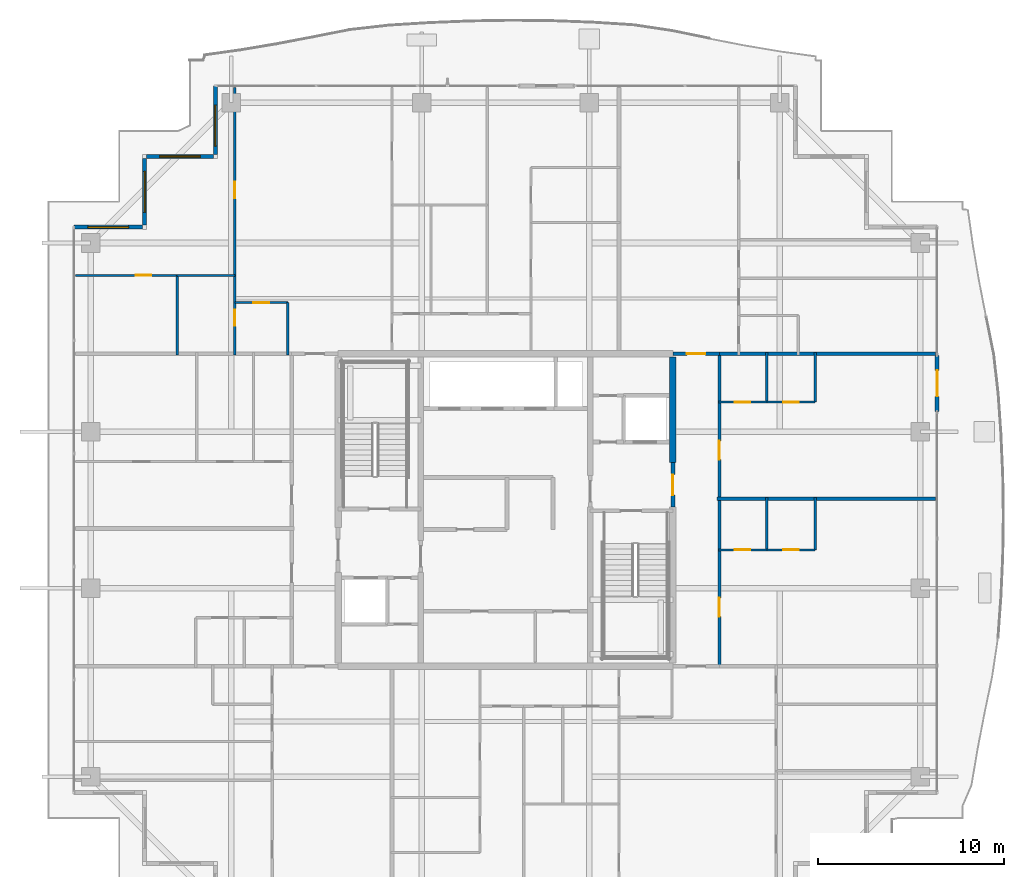
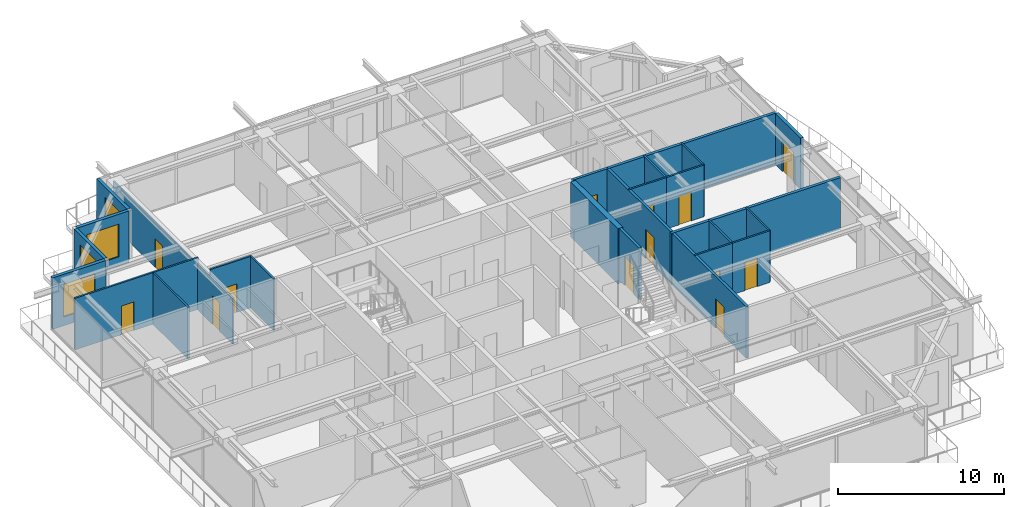
# One storey, part 31 of 40: 26 walls, 13 doors, 4 windows, 17 openings.
"""IFC4 building model written with IfcOpenShell, lengths in metres."""

from ifc_helpers import new_model, si_unit, direction, frame, frame_2d, origin, place, context, subcontext, project, spatial, rectangle, extrude, source, transform, mapped, material, layer, layer_set, type_object, element, fill, save


model = new_model("IFC4")

# Units and contexts
model_context = context("Model", 3, precision=1e-05, world=origin(), true_north=direction((0.0, 1.0)))
body_context = subcontext(model_context, "Body", "Model", "MODEL_VIEW")
ifc_project = project(units=[si_unit("LENGTHUNIT", "METRE"), si_unit("AREAUNIT", "SQUARE_METRE"), si_unit("VOLUMEUNIT", "CUBIC_METRE"), si_unit("PLANEANGLEUNIT", "RADIAN"), si_unit("MASSUNIT", "GRAM", prefix="KILO")], contexts=[model_context])

# Site, building, storey
site_placement = place(None, origin())
site = spatial("IfcSite", under=ifc_project, at=site_placement, CompositionType="ELEMENT")
building_placement = place(site_placement, origin())
building = spatial("IfcBuilding", under=site, at=building_placement, Name="Serunith Strait Residences", CompositionType="ELEMENT")
storey_placement = place(building_placement, frame((0.0, 0.0, 313.699951171875)))
storey = spatial("IfcBuildingStorey", under=building, at=storey_placement, Name="L78", CompositionType="ELEMENT", Elevation=313.699951171875)

# Wall, opening, door
ifc_material_1 = material(Name="Pale-Champagne Aluminium Insulated Panel", Category="aluminium")
ifc_layer_1 = layer(ifc_material_1, 0.219970703125, Name="Pale-Champagne Aluminium Insulated Panel")
ifc_layer_set_1 = layer_set([ifc_layer_1], Name="Pale-Champagne Aluminium Insulated Panel")
wall_type_1 = type_object("IfcWallType", Name="EW-ALUM-220", PredefinedType="ELEMENTEDWALL", material=ifc_layer_set_1)
wall_1_placement = place(storey_placement, frame((55.60009765625, 30.5, 0.0), z_axis=(0.0, 0.0, 1.0), x_axis=(0.0, 1.0, 0.0)))
wall_1 = element("IfcWall", 1, at=wall_1_placement, inside=storey, type_object=wall_type_1, Name="L78 E Facade Pier Wall", PredefinedType="ELEMENTEDWALL", context=body_context, shape_type="SweptSolid", body=[
    extrude(rectangle(XDim=3.0, YDim=0.219970703125, at=frame_2d((1.5, 0.0))), origin(), (0.0, 0.0, 1.0), 3.775146484375),
])
opening_1_placement = place(wall_1_placement, frame((0.800048828125, 0.0, 0.0)))
opening_1 = element("IfcOpeningElement", 2, at=opening_1_placement, cuts=wall_1, Name="Opening ED-04", PredefinedType="OPENING", context=body_context, shape_type="SweptSolid", body=[
    extrude(rectangle(XDim=1.39990234375, YDim=2.25, at=frame_2d((0.699951171875, 1.125))), frame((0.0, 0.1201171875, 0.0), z_axis=(0.0, -1.0, 0.0), x_axis=(1.0, 0.0, 0.0)), (0.0, 0.0, 1.0), 0.239990234375),
])
ifc_material_2 = material(Name="Thermally-Broken Aluminium Sliding Balcony Door", Category="aluminium")
door_type_1 = type_object("IfcDoorType", Name="ED-BALC-1400", OperationType="NOTDEFINED", PredefinedType="DOOR", material=ifc_material_2)
shared_shape_1 = source(origin(), body_context, "Body", "SweptSolid", [
    extrude(rectangle(XDim=1.39990234375, YDim=2.25, at=frame_2d((0.699951171875, 1.125))), frame((0.0, 0.02490234375, 0.0), z_axis=(0.0, -1.0, 0.0), x_axis=(1.0, 0.0, 0.0)), (0.0, 0.0, 1.0), 0.050048828125),
])
door_1_placement = place(opening_1_placement, origin())
door_1 = element("IfcDoor", 3, at=door_1_placement, inside=storey, type_object=door_type_1, Name="L78 E Vertical-Forest Balcony Door", OperationType="SLIDING_TO_LEFT", OverallHeight=2.25, OverallWidth=1.39990234375, PredefinedType="DOOR", context=body_context, shape_type="MappedRepresentation", body=[
    mapped(shared_shape_1, transform((0.0, 0.0, 0.0), scale=1.0)),
])
fill(opening_1, door_1)

# Wall, opening, window
wall_2_placement = place(storey_placement, frame((16.800048828125, 48.0, 0.0), z_axis=(0.0, 0.0, 1.0), x_axis=(0.0, -1.0, 0.0)))
wall_2 = element("IfcWall", 4, at=wall_2_placement, inside=storey, type_object=wall_type_1, Name="L78 Girih Serrated Corner Wall 12", PredefinedType="ELEMENTEDWALL", context=body_context, shape_type="SweptSolid", body=[
    extrude(rectangle(XDim=3.68994140625, YDim=0.219970703125, at=frame_2d((1.844970703125, 0.0))), origin(), (0.0, 0.0, 1.0), 3.775146484375),
])
opening_2_placement = place(wall_2_placement, frame((1.04296875, 0.0, 0.64990234375)))
opening_2 = element("IfcOpeningElement", 5, at=opening_2_placement, cuts=wall_2, Name="Opening W-06", PredefinedType="OPENING", context=body_context, shape_type="SweptSolid", body=[
    extrude(rectangle(XDim=2.199951171875, YDim=2.39990234375, at=frame_2d((1.10009765625, 1.199951171875))), frame((0.0, 0.1201171875, 0.0), z_axis=(0.0, -1.0, 0.0), x_axis=(1.0, 0.0, 0.0)), (0.0, 0.0, 1.0), 0.239990234375),
])
ifc_material_3 = material(Name="Crown Penthouse Low-E Operable Window Glass", Category="glass")
window_type = type_object("IfcWindowType", Name="WIN-C6", PartitioningType="TRIPLE_PANEL_VERTICAL", PredefinedType="WINDOW", material=ifc_material_3)
shared_shape_2 = source(origin(), body_context, "Body", "SweptSolid", [
    extrude(rectangle(XDim=2.199951171875, YDim=2.39990234375, at=frame_2d((1.10009765625, 1.199951171875))), frame((0.0, 0.030029296875, 0.0), z_axis=(0.0, -1.0, 0.0), x_axis=(1.0, 0.0, 0.0)), (0.0, 0.0, 1.0), 0.06005859375),
])
window_1_placement = place(opening_2_placement, origin())
window_1 = element("IfcWindow", 6, at=window_1_placement, inside=storey, type_object=window_type, Name="L78 Corner Operable Fritted Window 12", OverallHeight=2.39990234375, OverallWidth=2.199951171875, PartitioningType="SINGLE_PANEL", PredefinedType="WINDOW", context=body_context, shape_type="MappedRepresentation", body=[
    mapped(shared_shape_2, transform((0.0, 0.0, 0.0), scale=1.0)),
])
fill(opening_2, window_1)

wall_3_placement = place(storey_placement, frame((16.68994140625, 44.199951171875, 0.0), z_axis=(0.0, 0.0, 1.0), x_axis=(-1.0, 0.0, 0.0)))
wall_3 = element("IfcWall", 7, at=wall_3_placement, inside=storey, type_object=wall_type_1, Name="L78 Girih Serrated Corner Wall 13", PredefinedType="ELEMENTEDWALL", context=body_context, shape_type="SweptSolid", body=[
    extrude(rectangle(XDim=3.579833984375, YDim=0.219970703125, at=frame_2d((1.7900390625, 0.0))), origin(), (0.0, 0.0, 1.0), 3.775146484375),
])
opening_3_placement = place(wall_3_placement, frame((0.68994140625, 0.0, 0.64990234375)))
opening_3 = element("IfcOpeningElement", 8, at=opening_3_placement, cuts=wall_3, Name="Opening W-06", PredefinedType="OPENING", context=body_context, shape_type="SweptSolid", body=[
    extrude(rectangle(XDim=2.199951171875, YDim=2.39990234375, at=frame_2d((1.10009765625, 1.199951171875))), frame((0.0, 0.1201171875, 0.0), z_axis=(0.0, -1.0, 0.0), x_axis=(1.0, 0.0, 0.0)), (0.0, 0.0, 1.0), 0.239990234375),
])
window_2_placement = place(opening_3_placement, origin())
window_2 = element("IfcWindow", 9, at=window_2_placement, inside=storey, type_object=window_type, Name="L78 Corner Operable Fritted Window 13", OverallHeight=2.39990234375, OverallWidth=2.199951171875, PartitioningType="SINGLE_PANEL", PredefinedType="WINDOW", context=body_context, shape_type="MappedRepresentation", body=[
    mapped(shared_shape_2, transform((0.0, 0.0, 0.0), scale=1.0)),
])
fill(opening_3, window_2)

wall_4_placement = place(storey_placement, frame((13.0, 44.090087890625, 0.0), z_axis=(0.0, 0.0, 1.0), x_axis=(0.0, -1.0, 0.0)))
wall_4 = element("IfcWall", 10, at=wall_4_placement, inside=storey, type_object=wall_type_1, Name="L78 Girih Serrated Corner Wall 14", PredefinedType="ELEMENTEDWALL", context=body_context, shape_type="SweptSolid", body=[
    extrude(rectangle(XDim=3.580078125, YDim=0.219970703125, at=frame_2d((1.7900390625, 0.0))), origin(), (0.0, 0.0, 1.0), 3.775146484375),
])
opening_4_placement = place(wall_4_placement, frame((0.68994140625, 0.0, 0.64990234375)))
opening_4 = element("IfcOpeningElement", 11, at=opening_4_placement, cuts=wall_4, Name="Opening W-06", PredefinedType="OPENING", context=body_context, shape_type="SweptSolid", body=[
    extrude(rectangle(XDim=2.199951171875, YDim=2.39990234375, at=frame_2d((1.10009765625, 1.199951171875))), frame((0.0, 0.1201171875, 0.0), z_axis=(0.0, -1.0, 0.0), x_axis=(1.0, 0.0, 0.0)), (0.0, 0.0, 1.0), 0.239990234375),
])
window_3_placement = place(opening_4_placement, origin())
window_3 = element("IfcWindow", 12, at=window_3_placement, inside=storey, type_object=window_type, Name="L78 Corner Operable Fritted Window 14", OverallHeight=2.39990234375, OverallWidth=2.199951171875, PartitioningType="SINGLE_PANEL", PredefinedType="WINDOW", context=body_context, shape_type="MappedRepresentation", body=[
    mapped(shared_shape_2, transform((0.0, 0.0, 0.0), scale=1.0)),
])
fill(opening_4, window_3)

wall_5_placement = place(storey_placement, frame((12.889892578125, 40.39990234375, 0.0), z_axis=(0.0, 0.0, 1.0), x_axis=(-1.0, 0.0, 0.0)))
wall_5 = element("IfcWall", 13, at=wall_5_placement, inside=storey, type_object=wall_type_1, Name="L78 Girih Serrated Corner Wall 15", PredefinedType="ELEMENTEDWALL", context=body_context, shape_type="SweptSolid", body=[
    extrude(rectangle(XDim=3.68994140625, YDim=0.219970703125, at=frame_2d((1.844970703125, 0.0))), origin(), (0.0, 0.0, 1.0), 3.775146484375),
])
opening_5_placement = place(wall_5_placement, frame((0.7451171875, 0.0, 0.64990234375)))
opening_5 = element("IfcOpeningElement", 14, at=opening_5_placement, cuts=wall_5, Name="Opening W-06", PredefinedType="OPENING", context=body_context, shape_type="SweptSolid", body=[
    extrude(rectangle(XDim=2.199951171875, YDim=2.39990234375, at=frame_2d((1.10009765625, 1.199951171875))), frame((0.0, 0.1201171875, 0.0), z_axis=(0.0, -1.0, 0.0), x_axis=(1.0, 0.0, 0.0)), (0.0, 0.0, 1.0), 0.239990234375),
])
window_4_placement = place(opening_5_placement, origin())
window_4 = element("IfcWindow", 15, at=window_4_placement, inside=storey, type_object=window_type, Name="L78 Corner Operable Fritted Window 15", OverallHeight=2.39990234375, OverallWidth=2.199951171875, PartitioningType="SINGLE_PANEL", PredefinedType="WINDOW", context=body_context, shape_type="MappedRepresentation", body=[
    mapped(shared_shape_2, transform((0.0, 0.0, 0.0), scale=1.0)),
])
fill(opening_5, window_4)

# Wall, opening, door
ifc_material_4 = material(Name="Fire-rated acoustic gypsum partition")
ifc_layer_2 = layer(ifc_material_4, 0.179931640625, Name="Fire-rated acoustic gypsum partition")
ifc_layer_set_2 = layer_set([ifc_layer_2], Name="Fire-rated acoustic gypsum partition")
wall_type_2 = type_object("IfcWallType", Name="IW-CORR-180", PredefinedType="PARTITIONING", material=ifc_layer_set_2)
wall_6_placement = place(storey_placement, frame((41.402099609375, 33.60009765625, 0.0), z_axis=(0.0, 0.0, 1.0), x_axis=(1.0, 0.0, 0.0)))
wall_6 = element("IfcWall", 16, at=wall_6_placement, inside=storey, type_object=wall_type_2, Name="L78 Partition Wall 032", PredefinedType="PARTITIONING", context=body_context, shape_type="SweptSolid", body=[
    extrude(rectangle(XDim=2.495849609375, YDim=0.179931640625, at=frame_2d((1.248046875, 0.0))), origin(), (0.0, 0.0, 1.0), 3.7900390625),
])
opening_6_placement = place(wall_6_placement, frame((0.748046875, 0.0, 0.0)))
opening_6 = element("IfcOpeningElement", 17, at=opening_6_placement, cuts=wall_6, Name="Opening D-APT1000", PredefinedType="OPENING", context=body_context, shape_type="SweptSolid", body=[
    extrude(rectangle(XDim=1.0, YDim=2.14990234375, at=frame_2d((0.5, 1.074951171875))), frame((0.0, 0.10009765625, 0.0), z_axis=(0.0, -1.0, 0.0), x_axis=(1.0, 0.0, 0.0)), (0.0, 0.0, 1.0), 0.199951171875),
])
ifc_material_5 = material(Name="Solid timber engineered fire door", Category="wood")
door_type_2 = type_object("IfcDoorType", Name="ID-APT-1000", OperationType="NOTDEFINED", PredefinedType="DOOR", material=ifc_material_5)
shared_shape_3 = source(origin(), body_context, "Body", "SweptSolid", [
    extrude(rectangle(XDim=1.0, YDim=2.14990234375, at=frame_2d((0.5, 1.074951171875))), frame((0.0, 0.02490234375, 0.0), z_axis=(0.0, -1.0, 0.0), x_axis=(1.0, 0.0, 0.0)), (0.0, 0.0, 1.0), 0.050048828125),
])
door_2_placement = place(opening_6_placement, origin())
door_2 = element("IfcDoor", 18, at=door_2_placement, inside=storey, type_object=door_type_2, Name="L78 Unit 04 Entrance Door", OperationType="SINGLE_SWING_RIGHT", OverallHeight=2.14990234375, OverallWidth=1.0, PredefinedType="DOOR", context=body_context, shape_type="MappedRepresentation", body=[
    mapped(shared_shape_3, transform((0.0, 0.0, 0.0), scale=1.0)),
])
fill(opening_6, door_2)

# Wall, openings, doors
wall_7_placement = place(storey_placement, frame((43.89990234375, 16.800048828125, 0.0), z_axis=(0.0, 0.0, 1.0), x_axis=(0.0, 1.0, 0.0)))
wall_7 = element("IfcWall", 19, at=wall_7_placement, inside=storey, type_object=wall_type_2, Name="L78 Partition Wall 033", PredefinedType="PARTITIONING", context=body_context, shape_type="SweptSolid", body=[
    extrude(rectangle(XDim=16.800048828125, YDim=0.179931640625, at=frame_2d((8.39990234375, 0.0))), origin(), (0.0, 0.0, 1.0), 3.7900390625),
])
opening_7_placement = place(wall_7_placement, frame((2.669921875, 0.0, 0.0)))
opening_7 = element("IfcOpeningElement", 20, at=opening_7_placement, cuts=wall_7, Name="Opening D-APT1000", PredefinedType="OPENING", context=body_context, shape_type="SweptSolid", body=[
    extrude(rectangle(XDim=1.0, YDim=2.14990234375, at=frame_2d((0.5, 1.074951171875))), frame((0.0, 0.10009765625, 0.0), z_axis=(0.0, -1.0, 0.0), x_axis=(1.0, 0.0, 0.0)), (0.0, 0.0, 1.0), 0.199951171875),
])
opening_8_placement = place(wall_7_placement, frame((11.10693359375, 0.0, 0.0)))
opening_8 = element("IfcOpeningElement", 21, at=opening_8_placement, cuts=wall_7, Name="Opening D-APT1000", PredefinedType="OPENING", context=body_context, shape_type="SweptSolid", body=[
    extrude(rectangle(XDim=1.0, YDim=2.14990234375, at=frame_2d((0.5, 1.074951171875))), frame((0.0, 0.10009765625, 0.0), z_axis=(0.0, -1.0, 0.0), x_axis=(1.0, 0.0, 0.0)), (0.0, 0.0, 1.0), 0.199951171875),
])
door_3_placement = place(opening_7_placement, origin())
door_3 = element("IfcDoor", 22, at=door_3_placement, inside=storey, type_object=door_type_2, Name="L78 Unit 07 Entrance Door", OperationType="SINGLE_SWING_LEFT", OverallHeight=2.14990234375, OverallWidth=1.0, PredefinedType="DOOR", context=body_context, shape_type="MappedRepresentation", body=[
    mapped(shared_shape_3, transform((0.0, 0.0, 0.0), scale=1.0)),
])
fill(opening_7, door_3)
door_4_placement = place(opening_8_placement, origin())
door_4 = element("IfcDoor", 23, at=door_4_placement, inside=storey, type_object=door_type_2, Name="L78 Unit 08 Entrance Door", OperationType="SINGLE_SWING_RIGHT", OverallHeight=2.14990234375, OverallWidth=1.0, PredefinedType="DOOR", context=body_context, shape_type="MappedRepresentation", body=[
    mapped(shared_shape_3, transform((0.0, 0.0, 0.0), scale=1.0)),
])
fill(opening_8, door_4)

# Wall, opening, door
ifc_material_6 = material(Name="Lightweight steel-stud gypsum partition", Category="steel")
ifc_layer_3 = layer(ifc_material_6, 0.1201171875, Name="Lightweight steel-stud gypsum partition")
ifc_layer_set_3 = layer_set([ifc_layer_3], Name="Lightweight steel-stud gypsum partition")
wall_type_3 = type_object("IfcWallType", Name="IW-PART-120", PredefinedType="PARTITIONING", material=ifc_layer_set_3)
wall_8_placement = place(storey_placement, frame((17.85009765625, 36.35009765625, 0.0), z_axis=(0.0, 0.0, 1.0), x_axis=(1.0, 0.0, 0.0)))
wall_8 = element("IfcWall", 24, at=wall_8_placement, inside=storey, type_object=wall_type_3, Name="L78 Partition Wall 063", PredefinedType="PARTITIONING", context=body_context, shape_type="SweptSolid", body=[
    extrude(rectangle(XDim=2.849853515625, YDim=0.1201171875, at=frame_2d((1.4248046875, 0.0))), origin(), (0.0, 0.0, 1.0), 3.7900390625),
])
opening_9_placement = place(wall_8_placement, frame((1.0, 0.0, 0.0)))
opening_9 = element("IfcOpeningElement", 25, at=opening_9_placement, cuts=wall_8, Name="Opening D-RM850", PredefinedType="OPENING", context=body_context, shape_type="SweptSolid", body=[
    extrude(rectangle(XDim=0.85009765625, YDim=2.10009765625, at=frame_2d((0.425048828125, 1.050048828125))), frame((0.0, 0.070068359375, 0.0), z_axis=(0.0, -1.0, 0.0), x_axis=(1.0, 0.0, 0.0)), (0.0, 0.0, 1.0), 0.14013671875),
])
ifc_material_7 = material(Name="Engineered timber flush study and kitchen door", Category="wood")
door_type_3 = type_object("IfcDoorType", Name="ID-ROOM-850", OperationType="NOTDEFINED", PredefinedType="DOOR", material=ifc_material_7)
shared_shape_4 = source(origin(), body_context, "Body", "SweptSolid", [
    extrude(rectangle(XDim=0.85009765625, YDim=2.10009765625, at=frame_2d((0.425048828125, 1.050048828125))), frame((0.0, 0.02490234375, 0.0), z_axis=(0.0, -1.0, 0.0), x_axis=(1.0, 0.0, 0.0)), (0.0, 0.0, 1.0), 0.050048828125),
])
door_5_placement = place(opening_9_placement, origin())
door_5 = element("IfcDoor", 26, at=door_5_placement, inside=storey, type_object=door_type_3, Name="L78 Kitchen 7803 Door", OperationType="SINGLE_SWING_RIGHT", OverallHeight=2.10009765625, OverallWidth=0.85009765625, PredefinedType="DOOR", context=body_context, shape_type="MappedRepresentation", body=[
    mapped(shared_shape_4, transform((0.0, 0.0, 0.0), scale=1.0)),
])
fill(opening_9, door_5)

# Wall
wall_9_placement = place(storey_placement, frame((20.699951171875, 36.35009765625, 0.0), z_axis=(0.0, 0.0, 1.0), x_axis=(0.0, -1.0, 0.0)))
element("IfcWall", 27, at=wall_9_placement, inside=storey, type_object=wall_type_3, Name="L78 Partition Wall 064", PredefinedType="PARTITIONING", context=body_context, shape_type="SweptSolid", body=[
    extrude(rectangle(XDim=2.81005859375, YDim=0.1201171875, at=frame_2d((1.405029296875, 0.0))), origin(), (0.0, 0.0, 1.0), 3.7900390625),
])

# Wall, opening, door
wall_10_placement = place(storey_placement, frame((17.85009765625, 47.905029296875, 0.0), z_axis=(0.0, 0.0, 1.0), x_axis=(0.0, -1.0, 0.0)))
wall_10 = element("IfcWall", 28, at=wall_10_placement, inside=storey, type_object=wall_type_3, Name="L78 Partition Wall 065", PredefinedType="PARTITIONING", context=body_context, shape_type="SweptSolid", body=[
    extrude(rectangle(XDim=10.09814453125, YDim=0.1201171875, at=frame_2d((5.049072265625, 0.0))), origin(), (0.0, 0.0, 1.0), 3.2919921875),
])
opening_10_placement = place(wall_10_placement, frame((5.05908203125, 0.0, 0.0)))
opening_10 = element("IfcOpeningElement", 29, at=opening_10_placement, cuts=wall_10, Name="Opening D-RM900", PredefinedType="OPENING", context=body_context, shape_type="SweptSolid", body=[
    extrude(rectangle(XDim=0.89990234375, YDim=2.10009765625, at=frame_2d((0.449951171875, 1.050048828125))), frame((0.0, 0.070068359375, 0.0), z_axis=(0.0, -1.0, 0.0), x_axis=(1.0, 0.0, 0.0)), (0.0, 0.0, 1.0), 0.14013671875),
])
ifc_material_8 = material(Name="Engineered timber flush bedroom door", Category="wood")
door_type_4 = type_object("IfcDoorType", Name="ID-ROOM-900", OperationType="NOTDEFINED", PredefinedType="DOOR", material=ifc_material_8)
shared_shape_5 = source(origin(), body_context, "Body", "SweptSolid", [
    extrude(rectangle(XDim=0.89990234375, YDim=2.10009765625, at=frame_2d((0.449951171875, 1.050048828125))), frame((0.0, 0.02490234375, 0.0), z_axis=(0.0, -1.0, 0.0), x_axis=(1.0, 0.0, 0.0)), (0.0, 0.0, 1.0), 0.050048828125),
])
door_6_placement = place(opening_10_placement, origin())
door_6 = element("IfcDoor", 30, at=door_6_placement, inside=storey, type_object=door_type_4, Name="L78 Master Bedroom 1 7803 Door", OperationType="SINGLE_SWING_LEFT", OverallHeight=2.10009765625, OverallWidth=0.89990234375, PredefinedType="DOOR", context=body_context, shape_type="MappedRepresentation", body=[
    mapped(shared_shape_5, transform((0.0, 0.0, 0.0), scale=1.0)),
])
fill(opening_10, door_6)

wall_11_placement = place(storey_placement, frame((9.294921875, 37.806884765625, 0.0), z_axis=(0.0, 0.0, 1.0), x_axis=(1.0, 0.0, 0.0)))
wall_11 = element("IfcWall", 31, at=wall_11_placement, inside=storey, type_object=wall_type_3, Name="L78 Partition Wall 066", PredefinedType="PARTITIONING", context=body_context, shape_type="SweptSolid", body=[
    extrude(rectangle(XDim=5.455078125, YDim=0.1201171875, at=frame_2d((2.7275390625, 0.0))), origin(), (0.0, 0.0, 1.0), 3.7900390625),
])
opening_11_placement = place(wall_11_placement, frame((3.22412109375, 0.0, 0.0)))
opening_11 = element("IfcOpeningElement", 32, at=opening_11_placement, cuts=wall_11, Name="Opening D-RM850", PredefinedType="OPENING", context=body_context, shape_type="SweptSolid", body=[
    extrude(rectangle(XDim=0.85009765625, YDim=2.10009765625, at=frame_2d((0.425048828125, 1.050048828125))), frame((0.0, 0.070068359375, 0.0), z_axis=(0.0, -1.0, 0.0), x_axis=(1.0, 0.0, 0.0)), (0.0, 0.0, 1.0), 0.14013671875),
])
door_7_placement = place(opening_11_placement, origin())
door_7 = element("IfcDoor", 33, at=door_7_placement, inside=storey, type_object=door_type_3, Name="L78 Wardrobe 7803 Door", OperationType="SINGLE_SWING_RIGHT", OverallHeight=2.10009765625, OverallWidth=0.85009765625, PredefinedType="DOOR", context=body_context, shape_type="MappedRepresentation", body=[
    mapped(shared_shape_4, transform((0.0, 0.0, 0.0), scale=1.0)),
])
fill(opening_11, door_7)

# Walls
wall_12_placement = place(storey_placement, frame((14.751953125, 37.806884765625, 0.0), z_axis=(0.0, 0.0, 1.0), x_axis=(1.0, 0.0, 0.0)))
element("IfcWall", 34, at=wall_12_placement, inside=storey, type_object=wall_type_3, Name="L78 Partition Wall 067", PredefinedType="PARTITIONING", context=body_context, shape_type="SweptSolid", body=[
    extrude(rectangle(XDim=3.09814453125, YDim=0.1201171875, at=frame_2d((1.549072265625, 0.0))), origin(), (0.0, 0.0, 1.0), 3.7900390625),
])
wall_13_placement = place(storey_placement, frame((14.75, 37.806884765625, 0.0), z_axis=(0.0, 0.0, 1.0), x_axis=(0.0, -1.0, 0.0)))
element("IfcWall", 35, at=wall_13_placement, inside=storey, type_object=wall_type_3, Name="L78 Partition Wall 068", PredefinedType="PARTITIONING", context=body_context, shape_type="SweptSolid", body=[
    extrude(rectangle(XDim=4.266845703125, YDim=0.1201171875, at=frame_2d((2.13330078125, 0.0))), origin(), (0.0, 0.0, 1.0), 3.7900390625),
])

# Wall, opening, door
wall_14_placement = place(storey_placement, frame((17.85009765625, 37.804931640625, 0.0), z_axis=(0.0, 0.0, 1.0), x_axis=(0.0, -1.0, 0.0)))
wall_14 = element("IfcWall", 36, at=wall_14_placement, inside=storey, type_object=wall_type_3, Name="L78 Partition Wall 069", PredefinedType="PARTITIONING", context=body_context, shape_type="SweptSolid", body=[
    extrude(rectangle(XDim=4.264892578125, YDim=0.1201171875, at=frame_2d((2.13232421875, 0.0))), origin(), (0.0, 0.0, 1.0), 3.3720703125),
])
opening_12_placement = place(wall_14_placement, frame((1.847900390625, 0.0, 0.0)))
opening_12 = element("IfcOpeningElement", 37, at=opening_12_placement, cuts=wall_14, Name="Opening D-BTH850", PredefinedType="OPENING", context=body_context, shape_type="SweptSolid", body=[
    extrude(rectangle(XDim=0.85009765625, YDim=2.10009765625, at=frame_2d((0.425048828125, 1.050048828125))), frame((0.0, 0.070068359375, 0.0), z_axis=(0.0, -1.0, 0.0), x_axis=(1.0, 0.0, 0.0)), (0.0, 0.0, 1.0), 0.14013671875),
])
ifc_material_9 = material(Name="Moisture-resistant timber bathroom door", Category="wood")
door_type_5 = type_object("IfcDoorType", Name="ID-BATH-850", OperationType="NOTDEFINED", PredefinedType="DOOR", material=ifc_material_9)
door_8_placement = place(opening_12_placement, origin())
door_8 = element("IfcDoor", 38, at=door_8_placement, inside=storey, type_object=door_type_5, Name="L78 Bathroom 7803 Door", OperationType="SINGLE_SWING_LEFT", OverallHeight=2.10009765625, OverallWidth=0.85009765625, PredefinedType="DOOR", context=body_context, shape_type="MappedRepresentation", body=[
    mapped(shared_shape_4, transform((0.0, 0.0, 0.0), scale=1.0)),
])
fill(opening_12, door_8)

wall_15_placement = place(storey_placement, frame((49.050048828125, 23.050048828125, 0.0), z_axis=(0.0, 0.0, 1.0), x_axis=(-1.0, 0.0, 0.0)))
wall_15 = element("IfcWall", 39, at=wall_15_placement, inside=storey, type_object=wall_type_3, Name="L78 Partition Wall 101", PredefinedType="PARTITIONING", context=body_context, shape_type="SweptSolid", body=[
    extrude(rectangle(XDim=2.60009765625, YDim=0.1201171875, at=frame_2d((1.300048828125, 0.0))), origin(), (0.0, 0.0, 1.0), 3.7900390625),
])
opening_13_placement = place(wall_15_placement, frame((0.875, 0.0, 0.0)))
opening_13 = element("IfcOpeningElement", 40, at=opening_13_placement, cuts=wall_15, Name="Opening D-RM850", PredefinedType="OPENING", context=body_context, shape_type="SweptSolid", body=[
    extrude(rectangle(XDim=0.85009765625, YDim=2.10009765625, at=frame_2d((0.425048828125, 1.050048828125))), frame((0.0, 0.070068359375, 0.0), z_axis=(0.0, -1.0, 0.0), x_axis=(1.0, 0.0, 0.0)), (0.0, 0.0, 1.0), 0.14013671875),
])
door_9_placement = place(opening_13_placement, origin())
door_9 = element("IfcDoor", 41, at=door_9_placement, inside=storey, type_object=door_type_3, Name="L78 Kitchen 7807 Door", OperationType="SINGLE_SWING_RIGHT", OverallHeight=2.10009765625, OverallWidth=0.85009765625, PredefinedType="DOOR", context=body_context, shape_type="MappedRepresentation", body=[
    mapped(shared_shape_4, transform((0.0, 0.0, 0.0), scale=1.0)),
])
fill(opening_13, door_9)

wall_16_placement = place(storey_placement, frame((46.447998046875, 23.050048828125, 0.0), z_axis=(0.0, 0.0, 1.0), x_axis=(-1.0, 0.0, 0.0)))
wall_16 = element("IfcWall", 42, at=wall_16_placement, inside=storey, type_object=wall_type_3, Name="L78 Partition Wall 102", PredefinedType="PARTITIONING", context=body_context, shape_type="SweptSolid", body=[
    extrude(rectangle(XDim=2.60791015625, YDim=0.1201171875, at=frame_2d((1.303955078125, 0.0))), origin(), (0.0, 0.0, 1.0), 3.7900390625),
])
opening_14_placement = place(wall_16_placement, frame((0.87890625, 0.0, 0.0)))
opening_14 = element("IfcOpeningElement", 43, at=opening_14_placement, cuts=wall_16, Name="Opening D-BTH850", PredefinedType="OPENING", context=body_context, shape_type="SweptSolid", body=[
    extrude(rectangle(XDim=0.85009765625, YDim=2.10009765625, at=frame_2d((0.425048828125, 1.050048828125))), frame((0.0, 0.070068359375, 0.0), z_axis=(0.0, -1.0, 0.0), x_axis=(1.0, 0.0, 0.0)), (0.0, 0.0, 1.0), 0.14013671875),
])
door_10_placement = place(opening_14_placement, origin())
door_10 = element("IfcDoor", 44, at=door_10_placement, inside=storey, type_object=door_type_5, Name="L78 Bathroom 7807 Door", OperationType="SINGLE_SWING_LEFT", OverallHeight=2.10009765625, OverallWidth=0.85009765625, PredefinedType="DOOR", context=body_context, shape_type="MappedRepresentation", body=[
    mapped(shared_shape_4, transform((0.0, 0.0, 0.0), scale=1.0)),
])
fill(opening_14, door_10)

# Walls
for number, where, z_axis, x_axis, name in (
    (45, (46.449951171875, 23.050048828125, 0.0), (0.0, 0.0, 1.0), (0.0, 1.0, 0.0), "L78 Partition Wall 103"),
    (46, (49.050048828125, 23.050048828125, 0.0), (0.0, 0.0, 1.0), (0.0, 1.0, 0.0), "L78 Partition Wall 104"),
):
    element("IfcWall", number, at=place(storey_placement, frame(where, z_axis=z_axis, x_axis=x_axis)), inside=storey, type_object=wall_type_3, Name=name, PredefinedType="PARTITIONING", context=body_context, shape_type="SweptSolid", body=[
        extrude(rectangle(XDim=2.81005859375, YDim=0.1201171875, at=frame_2d((1.405029296875, 0.0))), origin(), (0.0, 0.0, 1.0), 3.7900390625),
    ])

# Wall, opening, door
wall_17_placement = place(storey_placement, frame((49.050048828125, 31.0, 0.0), z_axis=(0.0, 0.0, 1.0), x_axis=(-1.0, 0.0, 0.0)))
wall_17 = element("IfcWall", 47, at=wall_17_placement, inside=storey, type_object=wall_type_3, Name="L78 Partition Wall 105", PredefinedType="PARTITIONING", context=body_context, shape_type="SweptSolid", body=[
    extrude(rectangle(XDim=2.60009765625, YDim=0.1201171875, at=frame_2d((1.300048828125, 0.0))), origin(), (0.0, 0.0, 1.0), 3.7900390625),
])
opening_15_placement = place(wall_17_placement, frame((0.875, 0.0, 0.0)))
opening_15 = element("IfcOpeningElement", 48, at=opening_15_placement, cuts=wall_17, Name="Opening D-RM850", PredefinedType="OPENING", context=body_context, shape_type="SweptSolid", body=[
    extrude(rectangle(XDim=0.85009765625, YDim=2.10009765625, at=frame_2d((0.425048828125, 1.050048828125))), frame((0.0, 0.070068359375, 0.0), z_axis=(0.0, -1.0, 0.0), x_axis=(1.0, 0.0, 0.0)), (0.0, 0.0, 1.0), 0.14013671875),
])
door_11_placement = place(opening_15_placement, origin())
door_11 = element("IfcDoor", 49, at=door_11_placement, inside=storey, type_object=door_type_3, Name="L78 Kitchen 7808 Door", OperationType="SINGLE_SWING_RIGHT", OverallHeight=2.10009765625, OverallWidth=0.85009765625, PredefinedType="DOOR", context=body_context, shape_type="MappedRepresentation", body=[
    mapped(shared_shape_4, transform((0.0, 0.0, 0.0), scale=1.0)),
])
fill(opening_15, door_11)

wall_18_placement = place(storey_placement, frame((46.447998046875, 31.0, 0.0), z_axis=(0.0, 0.0, 1.0), x_axis=(-1.0, 0.0, 0.0)))
wall_18 = element("IfcWall", 50, at=wall_18_placement, inside=storey, type_object=wall_type_3, Name="L78 Partition Wall 106", PredefinedType="PARTITIONING", context=body_context, shape_type="SweptSolid", body=[
    extrude(rectangle(XDim=2.60791015625, YDim=0.1201171875, at=frame_2d((1.303955078125, 0.0))), origin(), (0.0, 0.0, 1.0), 3.7900390625),
])
opening_16_placement = place(wall_18_placement, frame((0.87890625, 0.0, 0.0)))
opening_16 = element("IfcOpeningElement", 51, at=opening_16_placement, cuts=wall_18, Name="Opening D-BTH850", PredefinedType="OPENING", context=body_context, shape_type="SweptSolid", body=[
    extrude(rectangle(XDim=0.85009765625, YDim=2.10009765625, at=frame_2d((0.425048828125, 1.050048828125))), frame((0.0, 0.070068359375, 0.0), z_axis=(0.0, -1.0, 0.0), x_axis=(1.0, 0.0, 0.0)), (0.0, 0.0, 1.0), 0.14013671875),
])
door_12_placement = place(opening_16_placement, origin())
door_12 = element("IfcDoor", 52, at=door_12_placement, inside=storey, type_object=door_type_5, Name="L78 Bathroom 7808 Door", OperationType="SINGLE_SWING_LEFT", OverallHeight=2.10009765625, OverallWidth=0.85009765625, PredefinedType="DOOR", context=body_context, shape_type="MappedRepresentation", body=[
    mapped(shared_shape_4, transform((0.0, 0.0, 0.0), scale=1.0)),
])
fill(opening_16, door_12)

# Walls
for number, where, z_axis, x_axis, name in (
    (53, (46.449951171875, 31.0, 0.0), (0.0, 0.0, 1.0), (0.0, 1.0, 0.0), "L78 Partition Wall 107"),
    (54, (49.050048828125, 31.0, 0.0), (0.0, 0.0, 1.0), (0.0, 1.0, 0.0), "L78 Partition Wall 108"),
):
    element("IfcWall", number, at=place(storey_placement, frame(where, z_axis=z_axis, x_axis=x_axis)), inside=storey, type_object=wall_type_3, Name=name, PredefinedType="PARTITIONING", context=body_context, shape_type="SweptSolid", body=[
        extrude(rectangle(XDim=2.659912109375, YDim=0.1201171875, at=frame_2d((1.330078125, 0.0))), origin(), (0.0, 0.0, 1.0), 3.7900390625),
    ])
ifc_material_10 = material(Name="Twin-stud acoustic gypsum board partition")
ifc_layer_4 = layer(ifc_material_10, 0.199951171875, Name="Twin-stud acoustic gypsum board partition")
ifc_layer_set_4 = layer_set([ifc_layer_4], Name="Twin-stud acoustic gypsum board partition")
wall_type_4 = type_object("IfcWallType", Name="IW-PARTY-200", PredefinedType="PARTITIONING", material=ifc_layer_set_4)
wall_19_placement = place(storey_placement, frame((43.780029296875, 25.800048828125, 0.0), z_axis=(0.0, 0.0, 1.0), x_axis=(1.0, 0.0, 0.0)))
element("IfcWall", 55, at=wall_19_placement, inside=storey, type_object=wall_type_4, Name="L78 Partition Wall 023", PredefinedType="PARTITIONING", context=body_context, shape_type="SweptSolid", body=[
    extrude(rectangle(XDim=11.738037109375, YDim=0.199951171875, at=frame_2d((5.869140625, 0.0))), origin(), (0.0, 0.0, 1.0), 3.7900390625),
])
wall_20_placement = place(storey_placement, frame((43.89990234375, 33.60009765625, 0.0), z_axis=(0.0, 0.0, 1.0), x_axis=(1.0, 0.0, 0.0)))
element("IfcWall", 56, at=wall_20_placement, inside=storey, type_object=wall_type_4, Name="L78 Partition Wall 027", PredefinedType="PARTITIONING", context=body_context, shape_type="SweptSolid", body=[
    extrude(rectangle(XDim=11.6181640625, YDim=0.199951171875, at=frame_2d((5.80908203125, 0.0))), origin(), (0.0, 0.0, 1.0), 3.7900390625),
])

# Wall, opening, door
ifc_material_11 = material(Name="Autoclaved aerated concrete blockwork", Category="masonry")
ifc_layer_5 = layer(ifc_material_11, 0.199951171875, Name="Autoclaved aerated concrete blockwork")
ifc_layer_set_5 = layer_set([ifc_layer_5], Name="Autoclaved aerated concrete blockwork")
wall_type_5 = type_object("IfcWallType", Name="IW-SHAFT-200", PredefinedType="STANDARD", material=ifc_layer_set_5)
wall_21_placement = place(storey_placement, frame((41.39990234375, 25.35205078125, 0.0), z_axis=(0.0, 0.0, 1.0), x_axis=(0.0, 1.0, 0.0)))
wall_21 = element("IfcWall", 57, at=wall_21_placement, inside=storey, type_object=wall_type_5, Name="L78 Partition Wall 008", PredefinedType="STANDARD", context=body_context, shape_type="SweptSolid", body=[
    extrude(rectangle(XDim=2.39599609375, YDim=0.199951171875, at=frame_2d((1.197998046875, 0.0))), origin(), (0.0, 0.0, 1.0), 3.7900390625),
])
opening_17_placement = place(wall_21_placement, frame((0.64794921875, 0.0, 0.0)))
opening_17 = element("IfcOpeningElement", 58, at=opening_17_placement, cuts=wall_21, Name="Opening FD-FFL", PredefinedType="OPENING", context=body_context, shape_type="SweptSolid", body=[
    extrude(rectangle(XDim=1.10009765625, YDim=2.14990234375, at=frame_2d((0.550048828125, 1.074951171875))), frame((0.0, 0.10986328125, 0.0), z_axis=(0.0, -1.0, 0.0), x_axis=(1.0, 0.0, 0.0)), (0.0, 0.0, 1.0), 0.219970703125),
])
ifc_material_12 = material(Name="Glazed steel smoke-lobby fire door", Category="steel")
door_type_6 = type_object("IfcDoorType", Name="FD-FFL-1100", OperationType="NOTDEFINED", PredefinedType="DOOR", material=ifc_material_12)
shared_shape_6 = source(origin(), body_context, "Body", "SweptSolid", [
    extrude(rectangle(XDim=1.10009765625, YDim=2.14990234375, at=frame_2d((0.550048828125, 1.074951171875))), frame((0.0, 0.02490234375, 0.0), z_axis=(0.0, -1.0, 0.0), x_axis=(1.0, 0.0, 0.0)), (0.0, 0.0, 1.0), 0.050048828125),
])
door_13_placement = place(opening_17_placement, origin())
door_13 = element("IfcDoor", 59, at=door_13_placement, inside=storey, type_object=door_type_6, Name="L78 FFL-2 Corridor Fire Door", OperationType="SINGLE_SWING_LEFT", OverallHeight=2.14990234375, OverallWidth=1.10009765625, PredefinedType="DOOR", context=body_context, shape_type="MappedRepresentation", body=[
    mapped(shared_shape_6, transform((0.0, 0.0, 0.0), scale=1.0)),
])
fill(opening_17, door_13)

# Wall
ifc_material_13 = material(Name="Concrete C60/75", Category="concrete")
ifc_layer_6 = layer(ifc_material_13, 0.35009765625, Name="Concrete C60/75")
ifc_layer_set_6 = layer_set([ifc_layer_6], Name="Concrete C60/75")
wall_type_6 = type_object("IfcWallType", Name="SW-350-C60", PredefinedType="SHEAR", material=ifc_layer_set_6)
wall_22_placement = place(storey_placement, frame((41.39990234375, 27.75, -0.260009765625), z_axis=(0.0, 0.0, 1.0), x_axis=(0.0, 1.0, 0.0)))
element("IfcWall", 60, at=wall_22_placement, inside=storey, type_object=wall_type_6, Name="L78 Core East Shear Wall North Pier", PredefinedType="SHEAR", context=body_context, shape_type="SweptSolid", body=[
    extrude(rectangle(XDim=5.675048828125, YDim=0.35009765625, at=frame_2d((2.83740234375, 0.0))), origin(), (0.0, 0.0, 1.0), 4.048095703125),
])

save(model, "model.ifc")
